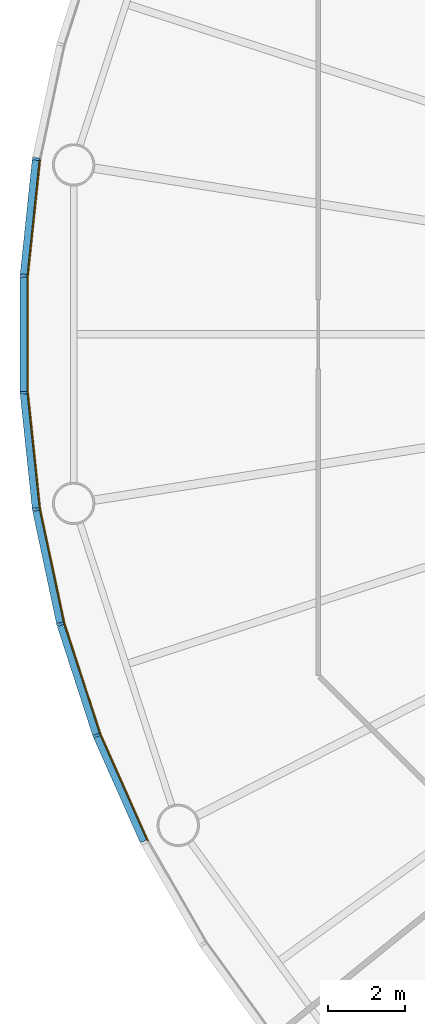
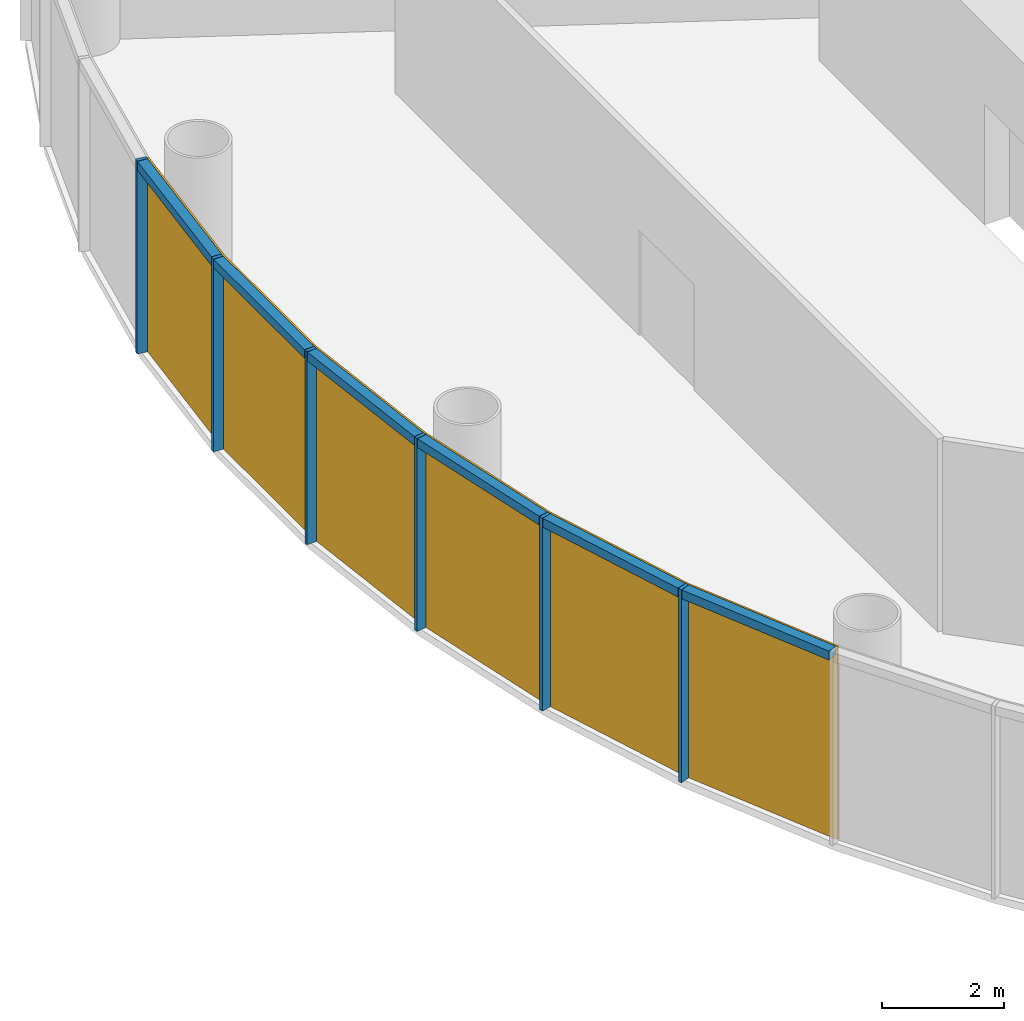
# One storey, part 8 of 13: 12 members, 2 curtain walls.
"""IFC4 building model written with IfcOpenShell, lengths in metres."""

from ifc_helpers import new_model, si_unit, direction, frame, origin, origin_2d, place, context, subcontext, project, spatial, polyline, rectangle, outline, extrude, material, layer, layer_set, material_profile, profile_set, type_object, element, aggregate, save


model = new_model("IFC4")

# Units and contexts
model_context = context("Model", 3, precision=1e-05, world=origin(), true_north=direction((0.0, 1.0)))
body_context = subcontext(model_context, "Body", "Model", "MODEL_VIEW")
ifc_project = project(units=[si_unit("LENGTHUNIT", "METRE"), si_unit("AREAUNIT", "SQUARE_METRE"), si_unit("VOLUMEUNIT", "CUBIC_METRE"), si_unit("PLANEANGLEUNIT", "RADIAN"), si_unit("MASSUNIT", "GRAM", prefix="KILO")], contexts=[model_context])

# Member
ifc_material_1 = material(Name="Anodised aluminium", Category="aluminium")
ifc_material_profile_1 = material_profile(ifc_material_1, rectangle(XDim=0.06494140625, YDim=0.18505859375, at=origin_2d()), Name="Mullion 65 x 185 mm anodised aluminium")
ifc_profile_set_1 = profile_set([ifc_material_profile_1], Name="Anodised aluminium")
member_type_1 = type_object("IfcMemberType", Name="Mullion 65 x 185 mm anodised aluminium", PredefinedType="MULLION", material=ifc_profile_set_1)
site_placement = place(None, origin())
building_placement = place(site_placement, origin())
storey_placement = place(building_placement, frame((0.0, 0.0, 168.0)))
member_1_placement = place(storey_placement, frame((61.265625, 84.551025390625, 0.0), z_axis=(0.0, 0.0, 1.0), x_axis=(-0.15643446504, -0.987688340595, 0.0)))
member_1 = element("IfcMember", 1, at=member_1_placement, type_object=member_type_1, Name="MULLION L38-27", PredefinedType="MULLION", context=body_context, shape_type="SweptSolid", body=[
    extrude(rectangle(XDim=0.06494140625, YDim=0.18505859375, at=origin_2d()), origin(), (0.0, 0.0, 1.0), 3.85009765625),
])

member_2_placement = place(storey_placement, frame((60.947265625, 81.522705078125, 0.0), z_axis=(0.0, 0.0, 1.0), x_axis=(-0.052335956243, -0.998629534755, 0.0)))
member_2 = element("IfcMember", 2, at=member_2_placement, type_object=member_type_1, Name="MULLION L38-28", PredefinedType="MULLION", context=body_context, shape_type="SweptSolid", body=[
    extrude(rectangle(XDim=0.06494140625, YDim=0.18505859375, at=origin_2d()), origin(), (0.0, 0.0, 1.0), 3.85009765625),
])

member_3_placement = place(storey_placement, frame((60.947265625, 78.477294921875, 0.0), z_axis=(0.0, 0.0, 1.0), x_axis=(0.052335956243, -0.998629534755, 0.0)))
member_3 = element("IfcMember", 3, at=member_3_placement, type_object=member_type_1, Name="MULLION L38-29", PredefinedType="MULLION", context=body_context, shape_type="SweptSolid", body=[
    extrude(rectangle(XDim=0.06494140625, YDim=0.18505859375, at=origin_2d()), origin(), (0.0, 0.0, 1.0), 3.85009765625),
])

member_4_placement = place(storey_placement, frame((61.265625, 75.448974609375, 0.0), z_axis=(0.0, 0.0, 1.0), x_axis=(0.15643446504, -0.987688340595, 0.0)))
member_4 = element("IfcMember", 4, at=member_4_placement, type_object=member_type_1, Name="MULLION L38-30", PredefinedType="MULLION", context=body_context, shape_type="SweptSolid", body=[
    extrude(rectangle(XDim=0.06494140625, YDim=0.18505859375, at=origin_2d()), origin(), (0.0, 0.0, 1.0), 3.85009765625),
])

member_5_placement = place(storey_placement, frame((61.898681640625, 72.47021484375, 0.0), z_axis=(0.0, 0.0, 1.0), x_axis=(0.258819045103, -0.965925826289, 0.0)))
member_5 = element("IfcMember", 5, at=member_5_placement, type_object=member_type_1, Name="MULLION L38-31", PredefinedType="MULLION", context=body_context, shape_type="SweptSolid", body=[
    extrude(rectangle(XDim=0.06494140625, YDim=0.18505859375, at=origin_2d()), origin(), (0.0, 0.0, 1.0), 3.85009765625),
])

member_6_placement = place(storey_placement, frame((62.83984375, 69.57421875, 0.0), z_axis=(0.0, 0.0, 1.0), x_axis=(0.358367949545, -0.933580426497, 0.0)))
member_6 = element("IfcMember", 6, at=member_6_placement, type_object=member_type_1, Name="MULLION L38-32", PredefinedType="MULLION", context=body_context, shape_type="SweptSolid", body=[
    extrude(rectangle(XDim=0.06494140625, YDim=0.18505859375, at=origin_2d()), origin(), (0.0, 0.0, 1.0), 3.85009765625),
])

ifc_material_2 = material(Name="Anodised aluminium", Category="aluminium")
ifc_material_profile_2 = material_profile(ifc_material_2, rectangle(XDim=0.18505859375, YDim=0.175048828125, at=origin_2d()), Name="Transom 175 x 185 mm anodised aluminium")
ifc_profile_set_2 = profile_set([ifc_material_profile_2], Name="Anodised aluminium")
member_type_2 = type_object("IfcMemberType", Name="Transom 175 x 185 mm anodised aluminium", PredefinedType="USERDEFINED", material=ifc_profile_set_2)
member_7_placement = place(storey_placement, frame((61.26171875, 84.513916015625, 3.762451171875), z_axis=(-0.104547872381, -0.994519855197, 0.0), x_axis=(0.994519855197, -0.104547872381, 0.0)))
member_7 = element("IfcMember", 7, at=member_7_placement, type_object=member_type_2, Name="TRANSOM L38-27", ObjectType="TRANSOM", PredefinedType="USERDEFINED", context=body_context, shape_type="SweptSolid", body=[
    extrude(rectangle(XDim=0.18505859375, YDim=0.175048828125, at=origin_2d()), origin(), (0.0, 0.0, 1.0), 2.970458984375),
])

member_8_placement = place(storey_placement, frame((60.947265625, 81.4853515625, 3.762451171875), z_axis=(0.0, -1.0, 0.0), x_axis=(1.0, 0.0, 0.0)))
member_8 = element("IfcMember", 8, at=member_8_placement, type_object=member_type_2, Name="TRANSOM L38-28", ObjectType="TRANSOM", PredefinedType="USERDEFINED", context=body_context, shape_type="SweptSolid", body=[
    extrude(rectangle(XDim=0.18505859375, YDim=0.175048828125, at=origin_2d()), origin(), (0.0, 0.0, 1.0), 2.970703125),
])

member_9_placement = place(storey_placement, frame((60.951171875, 78.440185546875, 3.762451171875), z_axis=(0.104547872381, -0.994519855197, 0.0), x_axis=(0.994519855197, 0.104547872381, 0.0)))
member_9 = element("IfcMember", 9, at=member_9_placement, type_object=member_type_2, Name="TRANSOM L38-29", ObjectType="TRANSOM", PredefinedType="USERDEFINED", context=body_context, shape_type="SweptSolid", body=[
    extrude(rectangle(XDim=0.18505859375, YDim=0.175048828125, at=origin_2d()), origin(), (0.0, 0.0, 1.0), 2.970458984375),
])

member_10_placement = place(storey_placement, frame((61.2734375, 75.412353515625, 3.762451171875), z_axis=(0.207861704825, -0.97815822425, 0.0), x_axis=(0.97815822425, 0.207861704825, 0.0)))
member_10 = element("IfcMember", 10, at=member_10_placement, type_object=member_type_2, Name="TRANSOM L38-30", ObjectType="TRANSOM", PredefinedType="USERDEFINED", context=body_context, shape_type="SweptSolid", body=[
    extrude(rectangle(XDim=0.18505859375, YDim=0.175048828125, at=origin_2d()), origin(), (0.0, 0.0, 1.0), 2.970458984375),
])

member_11_placement = place(storey_placement, frame((61.91015625, 72.434814453125, 3.762451171875), z_axis=(0.30901917063, -0.951055809184, 0.0), x_axis=(0.951055809184, 0.30901917063, 0.0)))
member_11 = element("IfcMember", 11, at=member_11_placement, type_object=member_type_2, Name="TRANSOM L38-31", ObjectType="TRANSOM", PredefinedType="USERDEFINED", context=body_context, shape_type="SweptSolid", body=[
    extrude(rectangle(XDim=0.18505859375, YDim=0.175048828125, at=origin_2d()), origin(), (0.0, 0.0, 1.0), 2.970703125),
])

member_12_placement = place(storey_placement, frame((62.85498046875, 69.5400390625, 3.762451171875), z_axis=(0.406687471156, -0.913567348806, 0.0), x_axis=(0.913567348806, 0.406687471156, 0.0)))
member_12 = element("IfcMember", 12, at=member_12_placement, type_object=member_type_2, Name="TRANSOM L38-32", ObjectType="TRANSOM", PredefinedType="USERDEFINED", context=body_context, shape_type="SweptSolid", body=[
    extrude(rectangle(XDim=0.18505859375, YDim=0.175048828125, at=origin_2d()), origin(), (0.0, 0.0, 1.0), 2.970458984375),
])

# Site, building, storey
site = spatial("IfcSite", under=ifc_project, at=site_placement, CompositionType="ELEMENT")
building = spatial("IfcBuilding", under=site, at=building_placement, Name="Entoto Ring Tower", CompositionType="ELEMENT")
storey = spatial("IfcBuildingStorey", under=building, at=storey_placement, Name="L38", CompositionType="ELEMENT", Elevation=168.0)

# Curtain wall
ifc_material_3 = material(Name="Clear low-iron glass", Category="glass")
ifc_layer = layer(ifc_material_3, 0.033935546875)
ifc_layer_set = layer_set([ifc_layer], Name="Clear low-iron glass")
curtain_wall_type = type_object("IfcCurtainWallType", Name="Curtain wall system CW3 glazing 34 mm", PredefinedType="NOTDEFINED", material=ifc_layer_set)
curtain_wall_1_placement = place(storey_placement, origin())
curtain_wall_1 = element("IfcCurtainWall", 13, at=curtain_wall_1_placement, inside=storey, type_object=curtain_wall_type, Name="CW3 L38-10", PredefinedType="NOTDEFINED", context=body_context, shape_type="SweptSolid", body=[
    extrude(outline(polyline([(61.35693359375, 84.53662109375), (61.039794921875, 81.517822265625), (61.039794921875, 78.482177734375), (61.35693359375, 75.46337890625), (61.390625, 75.46875), (61.07373046875, 78.484130859375), (61.07373046875, 81.515869140625), (61.390625, 84.53125), (61.35693359375, 84.53662109375)])), origin(), (0.0, 0.0, 1.0), 3.85009765625),
])

aggregate(curtain_wall_1, [member_1, member_2, member_3, member_7, member_8, member_9])

curtain_wall_2_placement = place(storey_placement, origin())
curtain_wall_2 = element("IfcCurtainWall", 14, at=curtain_wall_2_placement, inside=storey, type_object=curtain_wall_type, Name="CW3 L38-11", PredefinedType="NOTDEFINED", context=body_context, shape_type="SweptSolid", body=[
    extrude(outline(polyline([(61.35693359375, 75.46337890625), (61.988037109375, 72.494140625), (62.92626953125, 69.607421875), (64.160888671875, 66.834228515625), (64.191162109375, 66.849853515625), (62.9580078125, 69.61962890625), (62.02099609375, 72.503173828125), (61.390625, 75.46875), (61.35693359375, 75.46337890625)])), origin(), (0.0, 0.0, 1.0), 3.85009765625),
])

aggregate(curtain_wall_2, [member_4, member_5, member_6, member_10, member_11, member_12])

save(model, "model.ifc")
